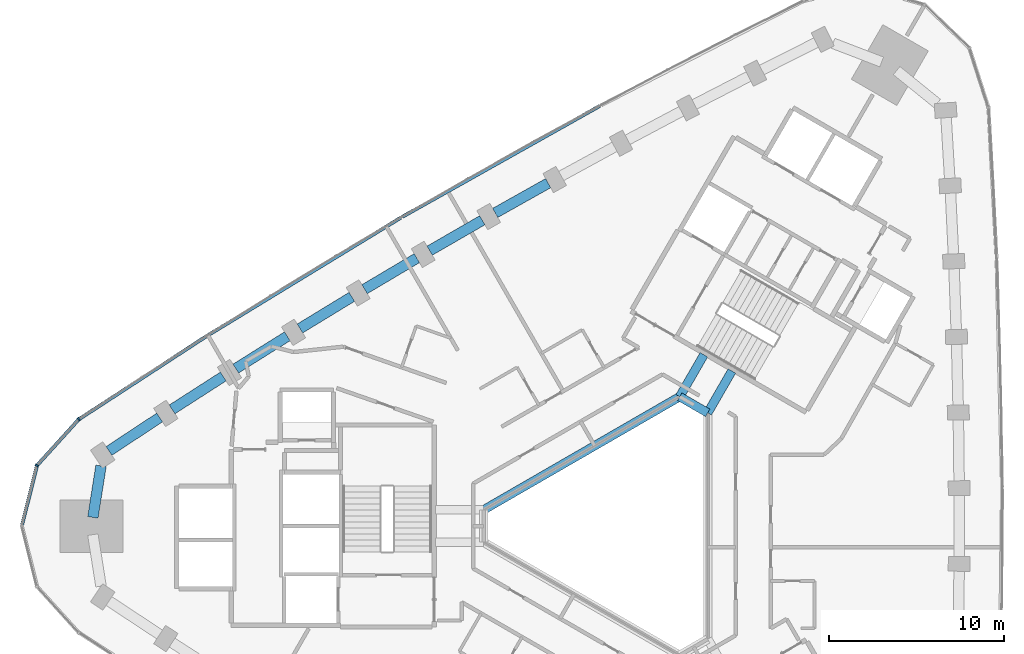
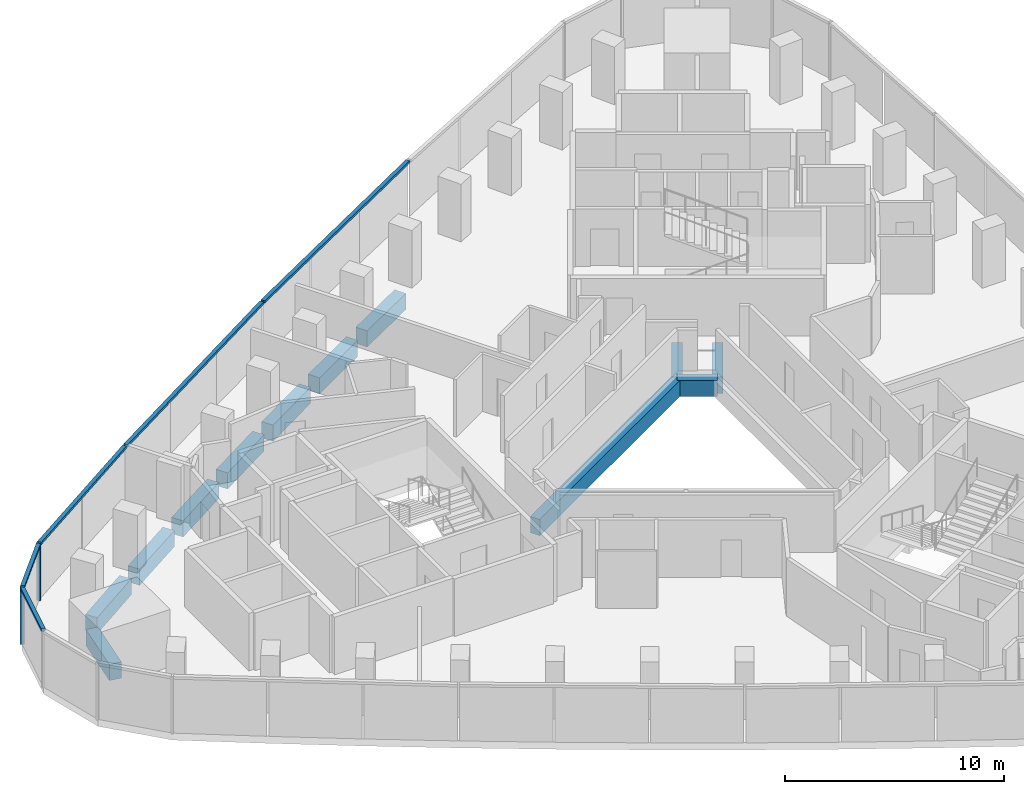
# One storey, part 4 of 12: 12 beams, 7 members, 1 element without a shape of its own.
"""IFC4 building model written with IfcOpenShell, lengths in metres."""

from ifc_helpers import new_model, si_unit, direction, frame, origin, origin_2d, place, context, subcontext, project, spatial, rectangle, extrude, material, material_profile, profile_set, type_object, element, aggregate, save


model = new_model("IFC4")

# Units and contexts
model_context = context("Model", 3, precision=1e-05, world=origin(), true_north=direction((0.0, 1.0)))
body_context = subcontext(model_context, "Body", "Model", "MODEL_VIEW")
ifc_project = project(units=[si_unit("LENGTHUNIT", "METRE"), si_unit("AREAUNIT", "SQUARE_METRE"), si_unit("VOLUMEUNIT", "CUBIC_METRE"), si_unit("PLANEANGLEUNIT", "RADIAN"), si_unit("MASSUNIT", "GRAM", prefix="KILO")], contexts=[model_context])

# Site, building, storey
site_placement = place(None, origin())
site = spatial("IfcSite", under=ifc_project, at=site_placement, CompositionType="ELEMENT")
building_placement = place(site_placement, origin())
building = spatial("IfcBuilding", under=site, at=building_placement, Name="Tamra Quay Hotel Tower", CompositionType="ELEMENT")
storey_placement = place(building_placement, frame((0.0, 0.0, 154.0)))
storey = spatial("IfcBuildingStorey", under=building, at=storey_placement, Name="L38", CompositionType="ELEMENT", Elevation=154.0)

# Beams
ifc_material_1 = material(Name="Concrete M60", Category="concrete")
ifc_material_profile_1 = material_profile(ifc_material_1, rectangle(XDim=0.5, YDim=0.89990234375, at=origin_2d()), Name="ATRIUM EDGE BEAM RC 500x900")
ifc_profile_set_1 = profile_set([ifc_material_profile_1], Name="Concrete M60")
beam_type_1 = type_object("IfcBeamType", Name="ATRIUM EDGE BEAM RC 500x900", PredefinedType="BEAM", material=ifc_profile_set_1)
beam_1_placement = place(storey_placement, frame((-8.0, 0.923828125, -0.85009765625), z_axis=(0.866024942741, 0.500000798549, 0.0), x_axis=(-0.500000798549, 0.866024942741, 0.0)))
element("IfcBeam", 1, at=beam_1_placement, inside=storey, type_object=beam_type_1, Name="BM-AB4-L38", PredefinedType="BEAM", context=body_context, shape_type="SweptSolid", body=[
    extrude(rectangle(XDim=0.5, YDim=0.89990234375, at=origin_2d()), origin(), (0.0, 0.0, 1.0), 12.9326171875),
])
beam_2_placement = place(storey_placement, frame((3.199951171875, 7.39013671875, -0.85009765625), z_axis=(0.86602275259, -0.500004591975, 0.0), x_axis=(0.500004591975, 0.86602275259, 0.0)))
element("IfcBeam", 2, at=beam_2_placement, inside=storey, type_object=beam_type_1, Name="BM-AB5-L38", PredefinedType="BEAM", context=body_context, shape_type="SweptSolid", body=[
    extrude(rectangle(XDim=0.5, YDim=0.89990234375, at=origin_2d()), origin(), (0.0, 0.0, 1.0), 1.84765625),
])
ifc_material_profile_2 = material_profile(ifc_material_1, rectangle(XDim=0.5, YDim=0.89990234375, at=origin_2d()), Name="ATRIUM TIE BEAM RC 500x900")
ifc_profile_set_2 = profile_set([ifc_material_profile_2], Name="Concrete M60")
beam_type_2 = type_object("IfcBeamType", Name="ATRIUM TIE BEAM RC 500x900", PredefinedType="BEAM", material=ifc_profile_set_2)
for number, where, z_axis, x_axis, name in (
    (3, (4.800048828125, 6.46630859375, -0.85009765625), (0.500008091576, 0.86602073206, 0.0), (-0.86602073206, 0.500008091576, 0.0), "BM-TIE-0-L38"),
    (4, (3.199951171875, 7.39013671875, -0.85009765625), (0.500008091576, 0.86602073206, 0.0), (-0.86602073206, 0.500008091576, 0.0), "BM-TIE-5-L38"),
):
    element("IfcBeam", number, at=place(storey_placement, frame(where, z_axis=z_axis, x_axis=x_axis)), inside=storey, type_object=beam_type_2, Name=name, PredefinedType="BEAM", context=body_context, shape_type="SweptSolid", body=[
        extrude(rectangle(XDim=0.5, YDim=0.89990234375, at=origin_2d()), origin(), (0.0, 0.0, 1.0), 2.76220703125),
    ])

# Curtain wall, members
ifc_material_2 = material(Name="Aluminium 6063 anodised dark grey", Category="aluminium")
curtain_wall_type = type_object("IfcCurtainWallType", Name="CW2 CURTAIN WALL", PredefinedType="NOTDEFINED", material=ifc_material_2)
curtain_wall_placement = place(storey_placement, origin())
curtain_wall = element("IfcCurtainWall", 5, at=curtain_wall_placement, inside=storey, type_object=curtain_wall_type, Name="CW2 north-west face L38", PredefinedType="NOTDEFINED")
ifc_material_profile_3 = material_profile(ifc_material_2, rectangle(XDim=0.199951171875, YDim=0.10009765625, at=origin_2d()), Name="MULLION 100X200")
ifc_profile_set_3 = profile_set([ifc_material_profile_3], Name="Aluminium 6063 anodised dark grey")
member_type_1 = type_object("IfcMemberType", Name="MULLION CW2 Z3", PredefinedType="MULLION", material=ifc_profile_set_3)
member_1_placement = place(storey_placement, frame((-31.139892578125, 6.099365234375, 0.0), z_axis=(0.0, 0.0, 1.0), x_axis=(-0.650989203966, 0.759086988638, 0.0)))
member_1 = element("IfcMember", 6, at=member_1_placement, type_object=member_type_1, Name="CW2 mullion L38.NW.12", PredefinedType="MULLION", context=body_context, shape_type="SweptSolid", body=[
    extrude(rectangle(XDim=0.199951171875, YDim=0.10009765625, at=origin_2d()), origin(), (0.0, 0.0, 1.0), 3.199951171875),
])
member_2_placement = place(storey_placement, frame((-33.533935546875, 3.4580078125, 0.0), z_axis=(0.0, 0.0, 1.0), x_axis=(-0.881925145425, 0.47138947577, 0.0)))
member_2 = element("IfcMember", 7, at=member_2_placement, type_object=member_type_1, Name="CW2 mullion L38.NW.13", PredefinedType="MULLION", context=body_context, shape_type="SweptSolid", body=[
    extrude(rectangle(XDim=0.199951171875, YDim=0.10009765625, at=origin_2d()), origin(), (0.0, 0.0, 1.0), 3.199951171875),
])

# Beams
ifc_material_profile_4 = material_profile(ifc_material_1, rectangle(XDim=0.60009765625, YDim=0.89990234375, at=origin_2d()), Name="SPANDREL BEAM RC 600x900")
ifc_profile_set_4 = profile_set([ifc_material_profile_4], Name="Concrete M60")
beam_type_3 = type_object("IfcBeamType", Name="SPANDREL BEAM RC 600x900", PredefinedType="SPANDREL", material=ifc_profile_set_4)
beam_3_placement = place(storey_placement, frame((-4.315185546875, 19.59130859375, -0.85009765625), z_axis=(-0.871956406858, -0.489583521516, 0.0), x_axis=(0.489583521516, -0.871956406858, 0.0)))
element("IfcBeam", 8, at=beam_3_placement, inside=storey, type_object=beam_type_3, Name="BM-SP3-017-L38", PredefinedType="SPANDREL", context=body_context, shape_type="SweptSolid", body=[
    extrude(rectangle(XDim=0.60009765625, YDim=0.89990234375, at=origin_2d()), origin(), (0.0, 0.0, 1.0), 3.47265625),
])
beam_4_placement = place(storey_placement, frame((-8.081787109375, 17.470458984375, -0.85009765625), z_axis=(-0.866032201241, -0.499988226275, 0.0), x_axis=(0.499988226275, -0.866032201241, 0.0)))
element("IfcBeam", 9, at=beam_4_placement, inside=storey, type_object=beam_type_3, Name="BM-SP3-018-L38", PredefinedType="SPANDREL", context=body_context, shape_type="SweptSolid", body=[
    extrude(rectangle(XDim=0.60009765625, YDim=0.89990234375, at=origin_2d()), origin(), (0.0, 0.0, 1.0), 3.47216796875),
])
beam_5_placement = place(storey_placement, frame((-11.822509765625, 15.304931640625, -0.85009765625), z_axis=(-0.859988767784, -0.510312962098, 0.0), x_axis=(0.510312962098, -0.859988767784, 0.0)))
element("IfcBeam", 10, at=beam_5_placement, inside=storey, type_object=beam_type_3, Name="BM-SP3-019-L38", PredefinedType="SPANDREL", context=body_context, shape_type="SweptSolid", body=[
    extrude(rectangle(XDim=0.60009765625, YDim=0.89990234375, at=origin_2d()), origin(), (0.0, 0.0, 1.0), 3.472900390625),
])
for number, where, z_axis, x_axis, name in (
    (11, (-15.53759765625, 13.094482421875, -0.85009765625), (-0.853835813207, -0.520542413339, 0.0), (0.520542413339, -0.853835813207, 0.0), "BM-SP3-020-L38"),
    (12, (-19.225341796875, 10.840087890625, -0.85009765625), (-0.847547681474, -0.530719255, 0.0), (0.530719255, -0.847547681474, 0.0), "BM-SP3-021-L38"),
):
    element("IfcBeam", number, at=place(storey_placement, frame(where, z_axis=z_axis, x_axis=x_axis)), inside=storey, type_object=beam_type_3, Name=name, PredefinedType="SPANDREL", context=body_context, shape_type="SweptSolid", body=[
        extrude(rectangle(XDim=0.60009765625, YDim=0.89990234375, at=origin_2d()), origin(), (0.0, 0.0, 1.0), 3.47216796875),
    ])
beam_6_placement = place(storey_placement, frame((-22.885986328125, 8.5419921875, -0.85009765625), z_axis=(-0.84116020305, -0.540786013878, 0.0), x_axis=(0.540786013878, -0.84116020305, 0.0)))
element("IfcBeam", 13, at=beam_6_placement, inside=storey, type_object=beam_type_3, Name="BM-SP3-022-L38", PredefinedType="SPANDREL", context=body_context, shape_type="SweptSolid", body=[
    extrude(rectangle(XDim=0.60009765625, YDim=0.89990234375, at=origin_2d()), origin(), (0.0, 0.0, 1.0), 3.47314453125),
])
beam_7_placement = place(storey_placement, frame((-26.51953125, 6.199951171875, -0.85009765625), z_axis=(-0.834690851507, -0.55071878705, 0.0), x_axis=(0.55071878705, -0.834690851507, 0.0)))
element("IfcBeam", 14, at=beam_7_placement, inside=storey, type_object=beam_type_3, Name="BM-SP3-023-L38", PredefinedType="SPANDREL", context=body_context, shape_type="SweptSolid", body=[
    extrude(rectangle(XDim=0.60009765625, YDim=0.89990234375, at=origin_2d()), origin(), (0.0, 0.0, 1.0), 3.472412109375),
])
beam_8_placement = place(storey_placement, frame((-29.87060546875, 3.434814453125, -0.85009765625), z_axis=(-0.156337236308, -0.987703735208, 0.0), x_axis=(0.987703735208, -0.156337236308, 0.0)))
element("IfcBeam", 15, at=beam_8_placement, inside=storey, type_object=beam_type_3, Name="BM-SP3-024-L38", PredefinedType="SPANDREL", context=body_context, shape_type="SweptSolid", body=[
    extrude(rectangle(XDim=0.60009765625, YDim=0.89990234375, at=origin_2d()), origin(), (0.0, 0.0, 1.0), 2.97802734375),
])

# Member
ifc_material_profile_5 = material_profile(ifc_material_2, rectangle(XDim=0.199951171875, YDim=0.139892578125, at=origin_2d()), Name="TRANSOM 200X140")
ifc_profile_set_5 = profile_set([ifc_material_profile_5], Name="Aluminium 6063 anodised dark grey")
member_type_2 = type_object("IfcMemberType", Name="TRANSOM CW2 Z3", PredefinedType="USERDEFINED", material=ifc_profile_set_5)
member_3_placement = place(storey_placement, frame((-1.360595703125, 24.013671875, 3.1298828125), z_axis=(-0.871941163172, -0.489610669783, 0.0), x_axis=(0.489610669783, -0.871941163172, 0.0)))
member_3 = element("IfcMember", 16, at=member_3_placement, type_object=member_type_2, Name="CW2 transom L38.NW.4", ObjectType="TRANSOM", PredefinedType="USERDEFINED", context=body_context, shape_type="SweptSolid", body=[
    extrude(rectangle(XDim=0.199951171875, YDim=0.139892578125, at=origin_2d()), origin(), (0.0, 0.0, 1.0), 12.955810546875),
])

member_4_placement = place(storey_placement, frame((-12.743408203125, 17.619873046875, 3.1298828125), z_axis=(-0.853830086981, -0.520551805843, 0.0), x_axis=(0.520551805843, -0.853830086981, 0.0)))
member_4 = element("IfcMember", 17, at=member_4_placement, type_object=member_type_2, Name="CW2 transom L38.NW.7", ObjectType="TRANSOM", PredefinedType="USERDEFINED", context=body_context, shape_type="SweptSolid", body=[
    extrude(rectangle(XDim=0.199951171875, YDim=0.139892578125, at=origin_2d()), origin(), (0.0, 0.0, 1.0), 12.955810546875),
])

member_5_placement = place(storey_placement, frame((-23.889892578125, 10.822021484375, 3.1298828125), z_axis=(-0.837927757603, -0.545781158559, 0.0), x_axis=(0.545781158559, -0.837927757603, 0.0)))
member_5 = element("IfcMember", 18, at=member_5_placement, type_object=member_type_2, Name="CW2 transom L38.NW.10", ObjectType="TRANSOM", PredefinedType="USERDEFINED", context=body_context, shape_type="SweptSolid", body=[
    extrude(rectangle(XDim=0.199951171875, YDim=0.139892578125, at=origin_2d()), origin(), (0.0, 0.0, 1.0), 8.6025390625),
])

member_6_placement = place(storey_placement, frame((-31.17333984375, 6.0625, 3.1298828125), z_axis=(-0.671553275013, -0.740956273217, 0.0), x_axis=(0.740956273217, -0.671553275013, 0.0)))
member_6 = element("IfcMember", 19, at=member_6_placement, type_object=member_type_2, Name="CW2 transom L38.NW.12", ObjectType="TRANSOM", PredefinedType="USERDEFINED", context=body_context, shape_type="SweptSolid", body=[
    extrude(rectangle(XDim=0.199951171875, YDim=0.139892578125, at=origin_2d()), origin(), (0.0, 0.0, 1.0), 3.46484375),
])

member_7_placement = place(storey_placement, frame((-33.5458984375, 3.409423828125, 3.1298828125), z_axis=(-0.243032991535, -0.970018023042, 0.0), x_axis=(0.970018023042, -0.243032991535, 0.0)))
member_7 = element("IfcMember", 20, at=member_7_placement, type_object=member_type_2, Name="CW2 transom L38.NW.13", ObjectType="TRANSOM", PredefinedType="USERDEFINED", context=body_context, shape_type="SweptSolid", body=[
    extrude(rectangle(XDim=0.199951171875, YDim=0.139892578125, at=origin_2d()), origin(), (0.0, 0.0, 1.0), 3.464599609375),
])

aggregate(curtain_wall, [member_3, member_4, member_5, member_1, member_6, member_2, member_7])

save(model, "model.ifc")
